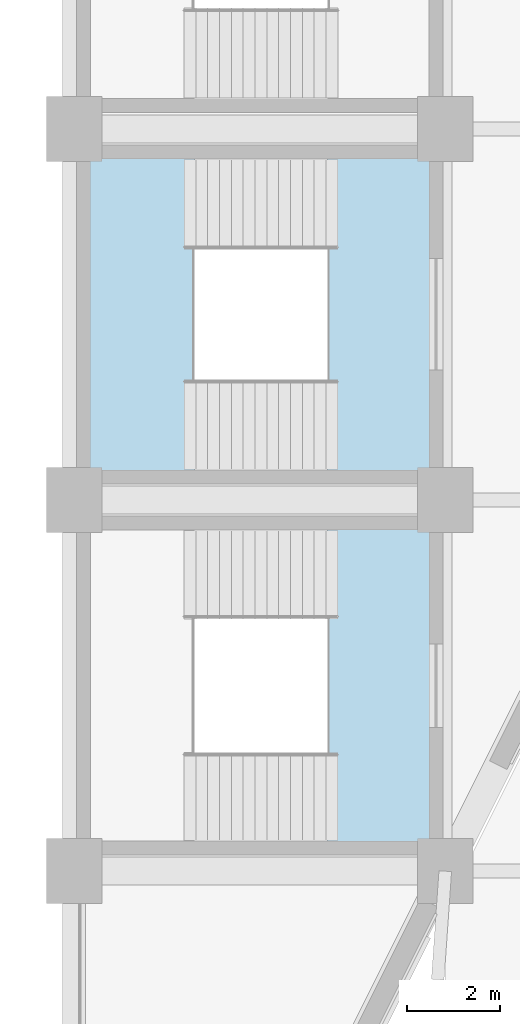
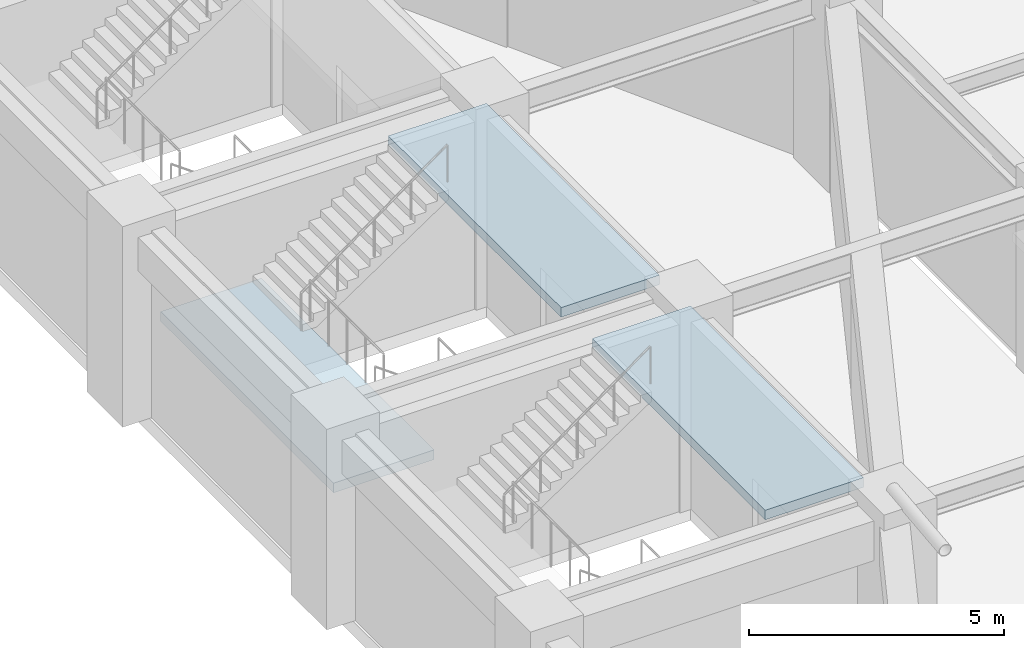
# One storey, part 98 of 155: 3 slabs, 2 elements without a shape of their own.
"""IFC4 building model written with IfcOpenShell, lengths in metres."""

import ifcopenshell
import ifcopenshell.guid

model = None  # the IFC model being written
_history = None  # IfcOwnerHistory: only IFC2X3 demands one
_inside = {}  # id of a spatial element -> (the spatial element, [elements in it])
_under = {}  # id of a project, library or spatial element -> (it, [spatial elements below it])
_declared = {}  # id of a project -> (the project, [libraries it declares])
_typed = {}  # id of a type object -> (the type object, [elements of that type])
_made_of = {}  # id of a material, layer set ... -> (it, [elements and type objects made of it])


def new_model(schema):
    """Start an empty IFC model of exactly this schema.

    Asked for "IFC4X3", IfcOpenShell would pick the latest addendum, in which some entities
    have other attributes; the version numbers below select the first issue.
    IFC2X3 requires an IfcOwnerHistory on every rooted entity: one is made here for all.
    """
    global model, _history
    if schema == "IFC4X3":
        model = ifcopenshell.file(schema_version=(4, 3, 0, 0))
    else:
        model = ifcopenshell.file(schema=schema)
    _inside.clear()
    _under.clear()
    _declared.clear()
    _typed.clear()
    _made_of.clear()
    _history = None
    if model.schema == "IFC2X3":
        org = make("IfcOrganization", Name="unknown")
        user = make(
            "IfcPersonAndOrganization",
            ThePerson=make("IfcPerson", FamilyName="unknown"),
            TheOrganization=org,
        )
        app = make(
            "IfcApplication",
            ApplicationDeveloper=org,
            Version="unknown",
            ApplicationFullName="unknown",
            ApplicationIdentifier="unknown",
        )
        _history = make(
            "IfcOwnerHistory",
            OwningUser=user,
            OwningApplication=app,
            ChangeAction="ADDED",
            CreationDate=0,
        )
    return model


def make(cls, **values):
    """One entity of the class cls with the attributes given. An attribute that is None is left unset."""
    return model.create_entity(
        cls, **{name: value for name, value in values.items() if value is not None}
    )


def rooted(cls, **values):
    """An entity with a GlobalId (a new one), such as an element, a storey or a relation."""
    return make(cls, GlobalId=ifcopenshell.guid.new(), OwnerHistory=_history, **values)


def si_unit(unit_type, name, prefix=None):
    """IfcSIUnit, for example si_unit("LENGTHUNIT", "METRE", prefix="MILLI")."""
    return make("IfcSIUnit", UnitType=unit_type, Prefix=prefix, Name=name)


def assignment(units):
    """IfcUnitAssignment: the units of a project."""
    return None if units is None else make("IfcUnitAssignment", Units=units)


def point(xyz):
    """IfcCartesianPoint."""
    return None if xyz is None else make("IfcCartesianPoint", Coordinates=xyz)


def direction(xyz):
    """IfcDirection."""
    return None if xyz is None else make("IfcDirection", DirectionRatios=xyz)


def frame(location, z_axis=None, x_axis=None):
    """IfcAxis2Placement3D, a coordinate frame: its origin and axes. An axis left out is left unset."""
    return make(
        "IfcAxis2Placement3D",
        Location=point(location),
        Axis=direction(z_axis),
        RefDirection=direction(x_axis),
    )


def origin():
    """The frame at (0, 0, 0) with its axes left unset."""
    return frame((0.0, 0.0, 0.0))


def place(relative_to, where):
    """IfcLocalPlacement: puts the frame where relative to a parent placement (None: the world)."""
    return make(
        "IfcLocalPlacement", PlacementRelTo=relative_to, RelativePlacement=where
    )


def context(
    kind, dimensions, precision=None, world=None, true_north=None, identifier=None
):
    """IfcGeometricRepresentationContext, for example the 3D "Model" context."""
    return make(
        "IfcGeometricRepresentationContext",
        ContextIdentifier=identifier,
        ContextType=kind,
        CoordinateSpaceDimension=dimensions,
        Precision=precision,
        WorldCoordinateSystem=world,
        TrueNorth=true_north,
    )


def subcontext(parent, identifier, kind, view, scale=None):
    """IfcGeometricRepresentationSubContext, for example "Body" below "Model"."""
    return make(
        "IfcGeometricRepresentationSubContext",
        ContextIdentifier=identifier,
        ContextType=kind,
        ParentContext=parent,
        TargetScale=scale,
        TargetView=view,
    )


def project(units=None, contexts=None):
    """IfcProject with its units and contexts."""
    return rooted(
        "IfcProject",
        Name="project",
        RepresentationContexts=contexts,
        UnitsInContext=assignment(units),
    )


def spatial(cls, under=None, at=None, **own):
    """A site, building, storey or space (cls), placed at a placement, below another one or the project."""
    s = rooted(cls, ObjectPlacement=at, **own)
    if under is not None:
        _under.setdefault(under.id(), (under, []))[1].append(s)
    return s


def polyline(points):
    """IfcPolyline through the points."""
    return make("IfcPolyline", Points=[point(p) for p in points])


def outline(outer, holes=None, kind="AREA"):
    """IfcArbitraryClosedProfileDef: a profile drawn as a closed curve; with holes, ...WithVoids."""
    if holes is None:
        return make("IfcArbitraryClosedProfileDef", ProfileType=kind, OuterCurve=outer)
    return make(
        "IfcArbitraryProfileDefWithVoids",
        ProfileType=kind,
        OuterCurve=outer,
        InnerCurves=holes,
    )


def extrude(swept, where, along, depth):
    """IfcExtrudedAreaSolid: the profile swept, set in the frame where, extruded along a direction by depth."""
    return make(
        "IfcExtrudedAreaSolid",
        SweptArea=swept,
        Position=where,
        ExtrudedDirection=direction(along),
        Depth=depth,
    )


def shape(context_of_items, identifier, shape_type, items):
    """IfcShapeRepresentation: the items that make up one representation, for example the "Body"."""
    return make(
        "IfcShapeRepresentation",
        ContextOfItems=context_of_items,
        RepresentationIdentifier=identifier,
        RepresentationType=shape_type,
        Items=items,
    )


def material(Name=None, Category=None):
    """IfcMaterial."""
    return make("IfcMaterial", Name=Name, Category=Category)


def layer(
    of_material, thickness, ventilated=None, Name=None, Category=None, Priority=None
):
    """IfcMaterialLayer: one layer of a wall or slab, of a material (None: an air gap)."""
    return make(
        "IfcMaterialLayer",
        Material=of_material,
        LayerThickness=thickness,
        IsVentilated=ventilated,
        Name=Name,
        Category=Category,
        Priority=Priority,
    )


def layer_set(layers, Name=None):
    """IfcMaterialLayerSet."""
    return make("IfcMaterialLayerSet", MaterialLayers=layers, LayerSetName=Name)


def made_of(thing, what):
    """Note that an element or type object is made of a material, layer set ...; save() writes the relation."""
    if what is not None:
        _made_of.setdefault(what.id(), (what, []))[1].append(thing)
    return thing


def type_object(cls, material=None, **own):
    """A type object (cls), such as IfcWallType, which elements share."""
    return made_of(rooted(cls, **own), material)


def element(
    cls,
    number,
    at=None,
    inside=None,
    cuts=None,
    type_object=None,
    material=None,
    context=None,
    identifier="Body",
    shape_type=None,
    held_by="IfcProductDefinitionShape",
    body=None,
    shapes=None,
    **own,
):
    """One element of the class cls, such as IfcWall. Its Tag is "e" and its number.

    at: its placement. inside: the storey or other place that contains it. cuts: it is an
    opening in that element (IfcRelVoidsElement). A single representation is given by context,
    identifier, shape_type and body (its items); several are given by shapes. held_by: the class
    of the entity that holds the representations. save() writes the other relations.
    """
    e = rooted(cls, Tag="e%d" % number, ObjectPlacement=at, **own)
    if body is not None:
        shapes = [shape(context, identifier, shape_type, body)]
    if shapes is not None:
        e.Representation = make(held_by, Representations=shapes)
    if inside is not None:
        _inside.setdefault(inside.id(), (inside, []))[1].append(e)
    if cuts is not None:
        rooted(
            "IfcRelVoidsElement", RelatingBuildingElement=cuts, RelatedOpeningElement=e
        )
    if type_object is not None:
        _typed.setdefault(type_object.id(), (type_object, []))[1].append(e)
    return made_of(e, material)


def aggregate(whole, parts):
    """IfcRelAggregates: a whole, such as a stair, and the parts it consists of."""
    return rooted("IfcRelAggregates", RelatingObject=whole, RelatedObjects=parts)


def save(model, path):
    """Write the relations noted so far, then the file.

    IfcRelAggregates (storeys below a building ...), IfcRelContainedInSpatialStructure (elements
    in a storey), IfcRelDefinesByType, IfcRelAssociatesMaterial and IfcRelDeclares: one each for
    every whole, place, type object, material and project.
    """
    for whole, parts in _under.values():
        aggregate(whole, parts)
    for where, things in _inside.values():
        rooted(
            "IfcRelContainedInSpatialStructure",
            RelatedElements=things,
            RelatingStructure=where,
        )
    for kind, things in _typed.values():
        rooted("IfcRelDefinesByType", RelatedObjects=things, RelatingType=kind)
    for what, things in _made_of.values():
        rooted("IfcRelAssociatesMaterial", RelatedObjects=things, RelatingMaterial=what)
    for by, libraries in _declared.values():
        rooted("IfcRelDeclares", RelatingContext=by, RelatedDefinitions=libraries)
    model.write(path)


model = new_model("IFC4")

# Units and contexts
model_context = context("Model", 3, precision=1e-05, world=origin(), true_north=direction((0.0, 1.0)))
body_context = subcontext(model_context, "Body", "Model", "MODEL_VIEW")
ifc_project = project(units=[si_unit("LENGTHUNIT", "METRE"), si_unit("AREAUNIT", "SQUARE_METRE"), si_unit("VOLUMEUNIT", "CUBIC_METRE"), si_unit("PLANEANGLEUNIT", "RADIAN"), si_unit("MASSUNIT", "GRAM", prefix="KILO")], contexts=[model_context])

# Site, building, storey
site_placement = place(None, origin())
site = spatial("IfcSite", under=ifc_project, at=site_placement, CompositionType="ELEMENT")
building_placement = place(site_placement, origin())
building = spatial("IfcBuilding", under=site, at=building_placement, Name="Tazarka Park Arena", CompositionType="ELEMENT")
storey_placement = place(building_placement, frame((0.0, 0.0, 5.39990234375)))
storey = spatial("IfcBuildingStorey", under=building, at=storey_placement, Name="L01", CompositionType="ELEMENT", Elevation=5.39990234375)

# Stair, slabs
ifc_material_1 = material(Name="Precast concrete C40/50", Category="concrete")
stair_type_1 = type_object("IfcStairType", Name="STR-2400", PredefinedType="HALF_TURN_STAIR", material=ifc_material_1)
stair_1_placement = place(storey_placement, origin())
stair_1 = element("IfcStair", 1, at=stair_1_placement, inside=storey, type_object=stair_type_1, Name="Stair ST12 L01", PredefinedType="HALF_TURN_STAIR")
ifc_material_2 = material(Name="Precast concrete C40/50", Category="concrete")
ifc_layer = layer(ifc_material_2, 0.22998046875, Name="Precast concrete C40/50")
ifc_layer_set = layer_set([ifc_layer], Name="Precast concrete C40/50")
slab_type = type_object("IfcSlabType", Name="LND-03", PredefinedType="LANDING", material=ifc_layer_set)
slab_1_placement = place(storey_placement, frame((0.0, 0.0, 2.170166015625)))
slab_1 = element("IfcSlab", 2, at=slab_1_placement, type_object=slab_type, Name="ST12-L01 landing 1", PredefinedType="LANDING", context=body_context, shape_type="SweptSolid", body=[
    extrude(outline(polyline([(120.31005859375, 56.610107421875), (122.590087890625, 56.610107421875), (122.590087890625, 63.389892578125), (120.31005859375, 63.389892578125), (120.31005859375, 56.610107421875)])), origin(), (0.0, 0.0, 1.0), 0.22998046875),
])
slab_2_placement = place(storey_placement, frame((0.0, 0.0, 4.570068359375)))
slab_2 = element("IfcSlab", 3, at=slab_2_placement, type_object=slab_type, Name="ST12-L01 landing 2", PredefinedType="LANDING", context=body_context, shape_type="SweptSolid", body=[
    extrude(outline(polyline([(125.465087890625, 56.610107421875), (127.68994140625, 56.610107421875), (127.68994140625, 63.389892578125), (125.465087890625, 63.389892578125), (125.465087890625, 56.610107421875)])), origin(), (0.0, 0.0, 1.0), 0.22998046875),
])
aggregate(stair_1, [slab_1, slab_2])

# Stair, slab
ifc_material_3 = material(Name="Precast concrete C40/50", Category="concrete")
stair_type_2 = type_object("IfcStairType", Name="STR-1800", PredefinedType="HALF_TURN_STAIR", material=ifc_material_3)
stair_2_placement = place(storey_placement, origin())
stair_2 = element("IfcStair", 4, at=stair_2_placement, inside=storey, type_object=stair_type_2, Name="Vomitory Stair ST21 L01", PredefinedType="HALF_TURN_STAIR")
slab_3_placement = place(storey_placement, frame((0.0, 0.0, 4.570068359375)))
slab_3 = element("IfcSlab", 5, at=slab_3_placement, type_object=slab_type, Name="ST21-L01 landing 2", PredefinedType="LANDING", context=body_context, shape_type="SweptSolid", body=[
    extrude(outline(polyline([(125.465087890625, 48.610107421875), (127.68994140625, 48.610107421875), (127.68994140625, 55.389892578125), (125.465087890625, 55.389892578125), (125.465087890625, 48.610107421875)])), origin(), (0.0, 0.0, 1.0), 0.22998046875),
])
aggregate(stair_2, [slab_3])

save(model, "model.ifc")
